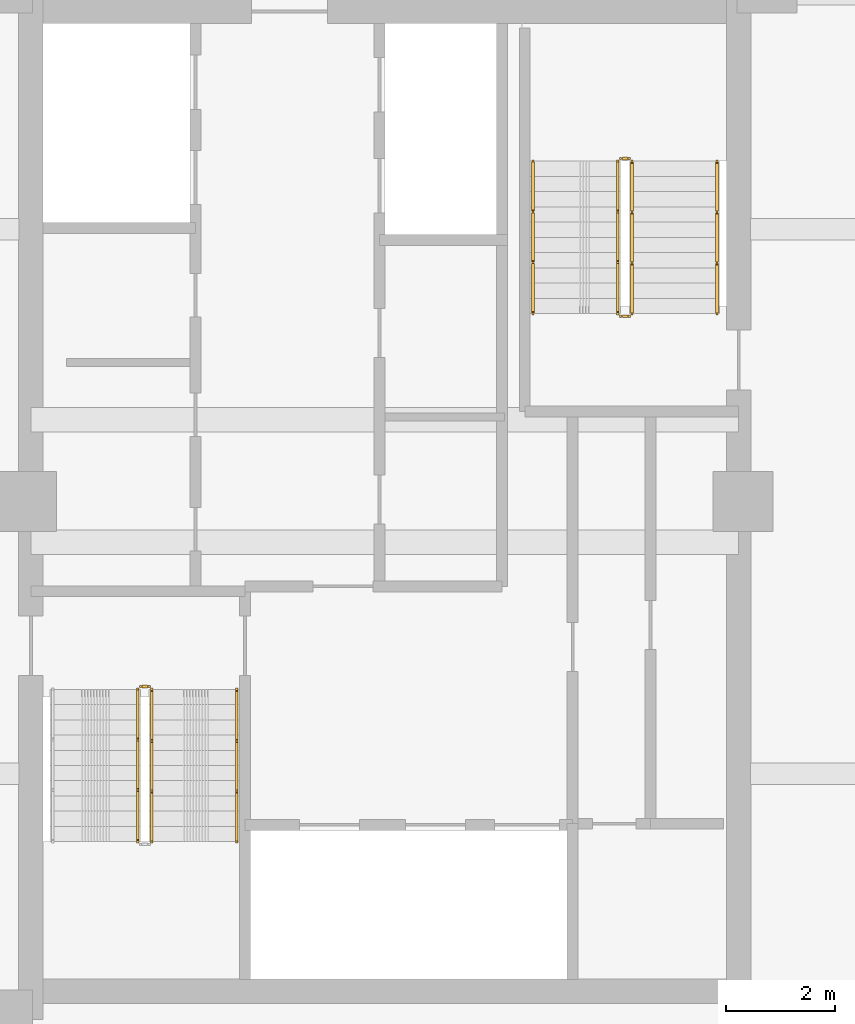
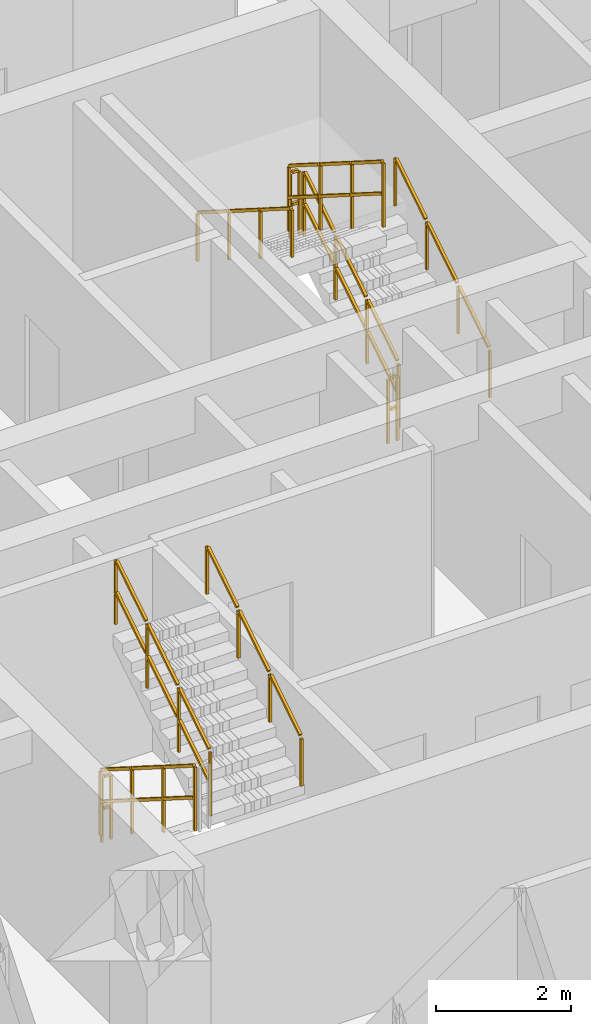
# One storey, part 12 of 14: 10 railings.
"""IFC4 building model written with IfcOpenShell, lengths in metres."""

from ifc_helpers import new_model, si_unit, direction, frame, origin, origin_2d, place, context, subcontext, project, spatial, rectangle, extrude, material, type_object, element, save


model = new_model("IFC4")

# Units and contexts
model_context = context("Model", 3, precision=1e-05, world=origin(), true_north=direction((0.0, 1.0)))
body_context = subcontext(model_context, "Body", "Model", "MODEL_VIEW")
ifc_project = project(units=[si_unit("LENGTHUNIT", "METRE"), si_unit("AREAUNIT", "SQUARE_METRE"), si_unit("VOLUMEUNIT", "CUBIC_METRE"), si_unit("PLANEANGLEUNIT", "RADIAN"), si_unit("MASSUNIT", "GRAM", prefix="KILO")], contexts=[model_context])

# Site, building, storey
site_placement = place(None, origin())
site = spatial("IfcSite", under=ifc_project, at=site_placement, CompositionType="ELEMENT")
building_placement = place(site_placement, origin())
building = spatial("IfcBuilding", under=site, at=building_placement, Name="Saelheon Loggia Tower", CompositionType="ELEMENT")
storey_placement = place(building_placement, frame((0.0, 0.0, 182.800048828125)))
storey = spatial("IfcBuildingStorey", under=building, at=storey_placement, Name="L57", CompositionType="ELEMENT", Elevation=182.800048828125)

# Railings
ifc_material_1 = material(Name="Galvanised Steel S275 Stairwell Guardrail", Category="steel")
railing_type_1 = type_object("IfcRailingType", Name="Guard_StairWell_RL_STG", PredefinedType="GUARDRAIL", material=ifc_material_1)
railing_1_placement = place(storey_placement, frame((33.4599609375, 23.550048828125, 0.17724609375)))
element("IfcRailing", 1, at=railing_1_placement, inside=storey, type_object=railing_type_1, Name="L57 ST1 stair guard 1", PredefinedType="GUARDRAIL", context=body_context, shape_type="SweptSolid", body=[
    extrude(rectangle(XDim=0.048095703125, YDim=0.048095703125, at=origin_2d()), frame((0.0, -0.028076171875, 1.193603515625), z_axis=(0.0, -0.844908973607, 0.534910110503), x_axis=(1.0, 0.0, 0.0)), (0.0, 0.0, 1.0), 1.0380859375),
    extrude(rectangle(XDim=0.048095703125, YDim=0.048095703125, at=origin_2d()), frame((0.0, -0.028076171875, 0.61767578125), z_axis=(0.0, -0.844908973607, 0.534910110503), x_axis=(1.0, 0.0, 0.0)), (0.0, 0.0, 1.0), 1.0380859375),
    extrude(rectangle(XDim=0.048095703125, YDim=0.048095703125, at=origin_2d()), frame((0.0, -0.96142578125, 1.78466796875), z_axis=(0.0, -0.844908973607, 0.534910110503), x_axis=(1.0, 0.0, 0.0)), (0.0, 0.0, 1.0), 1.0380859375),
    extrude(rectangle(XDim=0.048095703125, YDim=0.048095703125, at=origin_2d()), frame((0.0, -0.96142578125, 1.208740234375), z_axis=(0.0, -0.844908973607, 0.534910110503), x_axis=(1.0, 0.0, 0.0)), (0.0, 0.0, 1.0), 1.0380859375),
    extrude(rectangle(XDim=0.048095703125, YDim=0.048095703125, at=origin_2d()), frame((0.0, -1.894775390625, 2.37548828125), z_axis=(0.0, -0.844908973607, 0.534910110503), x_axis=(1.0, 0.0, 0.0)), (0.0, 0.0, 1.0), 1.0380859375),
    extrude(rectangle(XDim=0.048095703125, YDim=0.048095703125, at=origin_2d()), frame((0.0, -1.894775390625, 1.799560546875), z_axis=(0.0, -0.844908973607, 0.534910110503), x_axis=(1.0, 0.0, 0.0)), (0.0, 0.0, 1.0), 1.0380859375),
    extrude(rectangle(XDim=0.0419921875, YDim=0.0419921875, at=origin_2d()), origin(), (0.0, 0.0, 1.0), 1.14794921875),
    extrude(rectangle(XDim=0.0419921875, YDim=0.0419921875, at=origin_2d()), frame((0.0, -0.933349609375, 0.5908203125)), (0.0, 0.0, 1.0), 1.14794921875),
    extrude(rectangle(XDim=0.0419921875, YDim=0.0419921875, at=origin_2d()), frame((0.0, -1.86669921875, 1.181884765625)), (0.0, 0.0, 1.0), 1.14794921875),
    extrude(rectangle(XDim=0.0419921875, YDim=0.0419921875, at=origin_2d()), frame((0.0, -2.800048828125, 1.772705078125)), (0.0, 0.0, 1.0), 1.14794921875),
])
railing_2_placement = place(storey_placement, frame((33.719970703125, 20.75, 2.127197265625)))
element("IfcRailing", 2, at=railing_2_placement, inside=storey, type_object=railing_type_1, Name="L57 ST1 stair guard 3", PredefinedType="GUARDRAIL", context=body_context, shape_type="SweptSolid", body=[
    extrude(rectangle(XDim=0.048095703125, YDim=0.048095703125, at=origin_2d()), frame((0.0, 0.028076171875, 1.193603515625), z_axis=(0.0, 0.844908973607, 0.534910110503), x_axis=(-1.0, 0.0, 0.0)), (0.0, 0.0, 1.0), 1.0380859375),
    extrude(rectangle(XDim=0.048095703125, YDim=0.048095703125, at=origin_2d()), frame((0.0, 0.028076171875, 0.61767578125), z_axis=(0.0, 0.844908973607, 0.534910110503), x_axis=(-1.0, 0.0, 0.0)), (0.0, 0.0, 1.0), 1.0380859375),
    extrude(rectangle(XDim=0.048095703125, YDim=0.048095703125, at=origin_2d()), frame((0.0, 0.96142578125, 1.78466796875), z_axis=(0.0, 0.844908973607, 0.534910110503), x_axis=(-1.0, 0.0, 0.0)), (0.0, 0.0, 1.0), 1.0380859375),
    extrude(rectangle(XDim=0.048095703125, YDim=0.048095703125, at=origin_2d()), frame((0.0, 0.96142578125, 1.208740234375), z_axis=(0.0, 0.844908973607, 0.534910110503), x_axis=(-1.0, 0.0, 0.0)), (0.0, 0.0, 1.0), 1.0380859375),
    extrude(rectangle(XDim=0.048095703125, YDim=0.048095703125, at=origin_2d()), frame((0.0, 1.894775390625, 2.37548828125), z_axis=(0.0, 0.844908973607, 0.534910110503), x_axis=(-1.0, 0.0, 0.0)), (0.0, 0.0, 1.0), 1.0380859375),
    extrude(rectangle(XDim=0.048095703125, YDim=0.048095703125, at=origin_2d()), frame((0.0, 1.894775390625, 1.799560546875), z_axis=(0.0, 0.844908973607, 0.534910110503), x_axis=(-1.0, 0.0, 0.0)), (0.0, 0.0, 1.0), 1.0380859375),
    extrude(rectangle(XDim=0.0419921875, YDim=0.0419921875, at=origin_2d()), origin(), (0.0, 0.0, 1.0), 1.14794921875),
    extrude(rectangle(XDim=0.0419921875, YDim=0.0419921875, at=origin_2d()), frame((0.0, 0.933349609375, 0.5908203125)), (0.0, 0.0, 1.0), 1.14794921875),
    extrude(rectangle(XDim=0.0419921875, YDim=0.0419921875, at=origin_2d()), frame((0.0, 1.86669921875, 1.181884765625)), (0.0, 0.0, 1.0), 1.14794921875),
    extrude(rectangle(XDim=0.0419921875, YDim=0.0419921875, at=origin_2d()), frame((0.0, 2.800048828125, 1.772705078125)), (0.0, 0.0, 1.0), 1.14794921875),
])
railing_3_placement = place(storey_placement, frame((33.510009765625, 23.60009765625, 0.0)))
element("IfcRailing", 3, at=railing_3_placement, inside=storey, type_object=railing_type_1, Name="L57 ST1 stair guard 4", PredefinedType="GUARDRAIL", context=body_context, shape_type="SweptSolid", body=[
    extrude(rectangle(XDim=0.048095703125, YDim=0.048095703125, at=origin_2d()), frame((0.033203125, 0.0, 1.17578125), z_axis=(1.0, 0.0, 0.0), x_axis=(0.0, 1.0, 0.0)), (0.0, 0.0, 1.0), 0.093505859375),
    extrude(rectangle(XDim=0.048095703125, YDim=0.048095703125, at=origin_2d()), frame((0.033203125, 0.0, 0.60009765625), z_axis=(1.0, 0.0, 0.0), x_axis=(0.0, 1.0, 0.0)), (0.0, 0.0, 1.0), 0.093505859375),
    extrude(rectangle(XDim=0.0419921875, YDim=0.0419921875, at=origin_2d()), origin(), (0.0, 0.0, 1.0), 1.14794921875),
    extrude(rectangle(XDim=0.0419921875, YDim=0.0419921875, at=origin_2d()), frame((0.159912109375, 0.0, 0.0)), (0.0, 0.0, 1.0), 1.14794921875),
])
railing_4_placement = place(storey_placement, frame((42.5400390625, 30.449951171875, 0.17724609375)))
element("IfcRailing", 4, at=railing_4_placement, inside=storey, type_object=railing_type_1, Name="L57 ST2 stair guard 1", PredefinedType="GUARDRAIL", context=body_context, shape_type="SweptSolid", body=[
    extrude(rectangle(XDim=0.048095703125, YDim=0.048095703125, at=origin_2d()), frame((0.0, 0.028076171875, 1.193603515625), z_axis=(0.0, 0.844908973607, 0.534910110503), x_axis=(-1.0, 0.0, 0.0)), (0.0, 0.0, 1.0), 1.0380859375),
    extrude(rectangle(XDim=0.048095703125, YDim=0.048095703125, at=origin_2d()), frame((0.0, 0.028076171875, 0.61767578125), z_axis=(0.0, 0.844908973607, 0.534910110503), x_axis=(-1.0, 0.0, 0.0)), (0.0, 0.0, 1.0), 1.0380859375),
    extrude(rectangle(XDim=0.048095703125, YDim=0.048095703125, at=origin_2d()), frame((0.0, 0.96142578125, 1.78466796875), z_axis=(0.0, 0.844908973607, 0.534910110503), x_axis=(-1.0, 0.0, 0.0)), (0.0, 0.0, 1.0), 1.0380859375),
    extrude(rectangle(XDim=0.048095703125, YDim=0.048095703125, at=origin_2d()), frame((0.0, 0.96142578125, 1.208740234375), z_axis=(0.0, 0.844908973607, 0.534910110503), x_axis=(-1.0, 0.0, 0.0)), (0.0, 0.0, 1.0), 1.0380859375),
    extrude(rectangle(XDim=0.048095703125, YDim=0.048095703125, at=origin_2d()), frame((0.0, 1.894775390625, 2.37548828125), z_axis=(0.0, 0.844908973607, 0.534910110503), x_axis=(-1.0, 0.0, 0.0)), (0.0, 0.0, 1.0), 1.0380859375),
    extrude(rectangle(XDim=0.048095703125, YDim=0.048095703125, at=origin_2d()), frame((0.0, 1.894775390625, 1.799560546875), z_axis=(0.0, 0.844908973607, 0.534910110503), x_axis=(-1.0, 0.0, 0.0)), (0.0, 0.0, 1.0), 1.0380859375),
    extrude(rectangle(XDim=0.0419921875, YDim=0.0419921875, at=origin_2d()), origin(), (0.0, 0.0, 1.0), 1.14794921875),
    extrude(rectangle(XDim=0.0419921875, YDim=0.0419921875, at=origin_2d()), frame((0.0, 0.933349609375, 0.5908203125)), (0.0, 0.0, 1.0), 1.14794921875),
    extrude(rectangle(XDim=0.0419921875, YDim=0.0419921875, at=origin_2d()), frame((0.0, 1.86669921875, 1.181884765625)), (0.0, 0.0, 1.0), 1.14794921875),
    extrude(rectangle(XDim=0.0419921875, YDim=0.0419921875, at=origin_2d()), frame((0.0, 2.800048828125, 1.772705078125)), (0.0, 0.0, 1.0), 1.14794921875),
])
railing_5_placement = place(storey_placement, frame((42.489990234375, 33.300048828125, 1.949951171875)))
element("IfcRailing", 5, at=railing_5_placement, inside=storey, type_object=railing_type_1, Name="L57 ST2 stair guard 2", PredefinedType="GUARDRAIL", context=body_context, shape_type="SweptSolid", body=[
    extrude(rectangle(XDim=0.048095703125, YDim=0.048095703125, at=origin_2d()), frame((-0.033203125, 0.0, 1.17578125), z_axis=(-1.0, 0.0, 0.0), x_axis=(0.0, -1.0, 0.0)), (0.0, 0.0, 1.0), 0.093505859375),
    extrude(rectangle(XDim=0.048095703125, YDim=0.048095703125, at=origin_2d()), frame((-0.033203125, 0.0, 0.60009765625), z_axis=(-1.0, 0.0, 0.0), x_axis=(0.0, -1.0, 0.0)), (0.0, 0.0, 1.0), 0.093505859375),
    extrude(rectangle(XDim=0.0419921875, YDim=0.0419921875, at=origin_2d()), origin(), (0.0, 0.0, 1.0), 1.14794921875),
    extrude(rectangle(XDim=0.0419921875, YDim=0.0419921875, at=origin_2d()), frame((-0.159912109375, 0.0, 0.0)), (0.0, 0.0, 1.0), 1.14794921875),
])
railing_6_placement = place(storey_placement, frame((42.280029296875, 33.25, 2.127197265625)))
element("IfcRailing", 6, at=railing_6_placement, inside=storey, type_object=railing_type_1, Name="L57 ST2 stair guard 3", PredefinedType="GUARDRAIL", context=body_context, shape_type="SweptSolid", body=[
    extrude(rectangle(XDim=0.048095703125, YDim=0.048095703125, at=origin_2d()), frame((0.0, -0.028076171875, 1.193603515625), z_axis=(0.0, -0.844908973607, 0.534910110503), x_axis=(1.0, 0.0, 0.0)), (0.0, 0.0, 1.0), 1.0380859375),
    extrude(rectangle(XDim=0.048095703125, YDim=0.048095703125, at=origin_2d()), frame((0.0, -0.028076171875, 0.61767578125), z_axis=(0.0, -0.844908973607, 0.534910110503), x_axis=(1.0, 0.0, 0.0)), (0.0, 0.0, 1.0), 1.0380859375),
    extrude(rectangle(XDim=0.048095703125, YDim=0.048095703125, at=origin_2d()), frame((0.0, -0.96142578125, 1.78466796875), z_axis=(0.0, -0.844908973607, 0.534910110503), x_axis=(1.0, 0.0, 0.0)), (0.0, 0.0, 1.0), 1.0380859375),
    extrude(rectangle(XDim=0.048095703125, YDim=0.048095703125, at=origin_2d()), frame((0.0, -0.96142578125, 1.208740234375), z_axis=(0.0, -0.844908973607, 0.534910110503), x_axis=(1.0, 0.0, 0.0)), (0.0, 0.0, 1.0), 1.0380859375),
    extrude(rectangle(XDim=0.048095703125, YDim=0.048095703125, at=origin_2d()), frame((0.0, -1.894775390625, 2.37548828125), z_axis=(0.0, -0.844908973607, 0.534910110503), x_axis=(1.0, 0.0, 0.0)), (0.0, 0.0, 1.0), 1.0380859375),
    extrude(rectangle(XDim=0.048095703125, YDim=0.048095703125, at=origin_2d()), frame((0.0, -1.894775390625, 1.799560546875), z_axis=(0.0, -0.844908973607, 0.534910110503), x_axis=(1.0, 0.0, 0.0)), (0.0, 0.0, 1.0), 1.0380859375),
    extrude(rectangle(XDim=0.0419921875, YDim=0.0419921875, at=origin_2d()), origin(), (0.0, 0.0, 1.0), 1.14794921875),
    extrude(rectangle(XDim=0.0419921875, YDim=0.0419921875, at=origin_2d()), frame((0.0, -0.933349609375, 0.5908203125)), (0.0, 0.0, 1.0), 1.14794921875),
    extrude(rectangle(XDim=0.0419921875, YDim=0.0419921875, at=origin_2d()), frame((0.0, -1.86669921875, 1.181884765625)), (0.0, 0.0, 1.0), 1.14794921875),
    extrude(rectangle(XDim=0.0419921875, YDim=0.0419921875, at=origin_2d()), frame((0.0, -2.800048828125, 1.772705078125)), (0.0, 0.0, 1.0), 1.14794921875),
])
railing_7_placement = place(storey_placement, frame((42.489990234375, 30.39990234375, 0.0)))
element("IfcRailing", 7, at=railing_7_placement, inside=storey, type_object=railing_type_1, Name="L57 ST2 stair guard 4", PredefinedType="GUARDRAIL", context=body_context, shape_type="SweptSolid", body=[
    extrude(rectangle(XDim=0.048095703125, YDim=0.048095703125, at=origin_2d()), frame((-0.033203125, 0.0, 1.17578125), z_axis=(-1.0, 0.0, 0.0), x_axis=(0.0, -1.0, 0.0)), (0.0, 0.0, 1.0), 0.093505859375),
    extrude(rectangle(XDim=0.048095703125, YDim=0.048095703125, at=origin_2d()), frame((-0.033203125, 0.0, 0.60009765625), z_axis=(-1.0, 0.0, 0.0), x_axis=(0.0, -1.0, 0.0)), (0.0, 0.0, 1.0), 0.093505859375),
    extrude(rectangle(XDim=0.0419921875, YDim=0.0419921875, at=origin_2d()), origin(), (0.0, 0.0, 1.0), 1.14794921875),
    extrude(rectangle(XDim=0.0419921875, YDim=0.0419921875, at=origin_2d()), frame((-0.159912109375, 0.0, 0.0)), (0.0, 0.0, 1.0), 1.14794921875),
])
ifc_material_2 = material(Name="Stainless Steel 304 Tubular Handrail", Category="steel")
railing_type_2 = type_object("IfcRailingType", Name="Handrail_Stair_RL_HR1", PredefinedType="HANDRAIL", material=ifc_material_2)
for number, where, name in (
    (8, (35.280029296875, 20.75, 2.127197265625), "L57 ST1 stair handrail 2"),
    (9, (44.10009765625, 30.449951171875, 0.17724609375), "L57 ST2 stair handrail 1"),
):
    element("IfcRailing", number, at=place(storey_placement, frame(where)), inside=storey, type_object=railing_type_2, Name=name, PredefinedType="HANDRAIL", context=body_context, shape_type="SweptSolid", body=[
        extrude(rectangle(XDim=0.048095703125, YDim=0.048095703125, at=origin_2d()), frame((0.0, 0.028076171875, 0.8935546875), z_axis=(0.0, 0.844908973607, 0.534910110503), x_axis=(-1.0, 0.0, 0.0)), (0.0, 0.0, 1.0), 1.0380859375),
        extrude(rectangle(XDim=0.048095703125, YDim=0.048095703125, at=origin_2d()), frame((0.0, 0.96142578125, 1.484619140625), z_axis=(0.0, 0.844908973607, 0.534910110503), x_axis=(-1.0, 0.0, 0.0)), (0.0, 0.0, 1.0), 1.0380859375),
        extrude(rectangle(XDim=0.048095703125, YDim=0.048095703125, at=origin_2d()), frame((0.0, 1.894775390625, 2.075439453125), z_axis=(0.0, 0.844908973607, 0.534910110503), x_axis=(-1.0, 0.0, 0.0)), (0.0, 0.0, 1.0), 1.0380859375),
        extrude(rectangle(XDim=0.0419921875, YDim=0.0419921875, at=origin_2d()), origin(), (0.0, 0.0, 1.0), 0.847900390625),
        extrude(rectangle(XDim=0.0419921875, YDim=0.0419921875, at=origin_2d()), frame((0.0, 0.933349609375, 0.5908203125)), (0.0, 0.0, 1.0), 0.847900390625),
        extrude(rectangle(XDim=0.0419921875, YDim=0.0419921875, at=origin_2d()), frame((0.0, 1.86669921875, 1.181884765625)), (0.0, 0.0, 1.0), 0.847900390625),
        extrude(rectangle(XDim=0.0419921875, YDim=0.0419921875, at=origin_2d()), frame((0.0, 2.800048828125, 1.772705078125)), (0.0, 0.0, 1.0), 0.847900390625),
    ])
railing_8_placement = place(storey_placement, frame((40.719970703125, 33.25, 2.127197265625)))
element("IfcRailing", 10, at=railing_8_placement, inside=storey, type_object=railing_type_2, Name="L57 ST2 stair handrail 2", PredefinedType="HANDRAIL", context=body_context, shape_type="SweptSolid", body=[
    extrude(rectangle(XDim=0.048095703125, YDim=0.048095703125, at=origin_2d()), frame((0.0, -0.028076171875, 0.8935546875), z_axis=(0.0, -0.844908973607, 0.534910110503), x_axis=(1.0, 0.0, 0.0)), (0.0, 0.0, 1.0), 1.0380859375),
    extrude(rectangle(XDim=0.048095703125, YDim=0.048095703125, at=origin_2d()), frame((0.0, -0.96142578125, 1.484619140625), z_axis=(0.0, -0.844908973607, 0.534910110503), x_axis=(1.0, 0.0, 0.0)), (0.0, 0.0, 1.0), 1.0380859375),
    extrude(rectangle(XDim=0.048095703125, YDim=0.048095703125, at=origin_2d()), frame((0.0, -1.894775390625, 2.075439453125), z_axis=(0.0, -0.844908973607, 0.534910110503), x_axis=(1.0, 0.0, 0.0)), (0.0, 0.0, 1.0), 1.0380859375),
    extrude(rectangle(XDim=0.0419921875, YDim=0.0419921875, at=origin_2d()), origin(), (0.0, 0.0, 1.0), 0.847900390625),
    extrude(rectangle(XDim=0.0419921875, YDim=0.0419921875, at=origin_2d()), frame((0.0, -0.933349609375, 0.5908203125)), (0.0, 0.0, 1.0), 0.847900390625),
    extrude(rectangle(XDim=0.0419921875, YDim=0.0419921875, at=origin_2d()), frame((0.0, -1.86669921875, 1.181884765625)), (0.0, 0.0, 1.0), 0.847900390625),
    extrude(rectangle(XDim=0.0419921875, YDim=0.0419921875, at=origin_2d()), frame((0.0, -2.800048828125, 1.772705078125)), (0.0, 0.0, 1.0), 0.847900390625),
])

save(model, "model.ifc")
